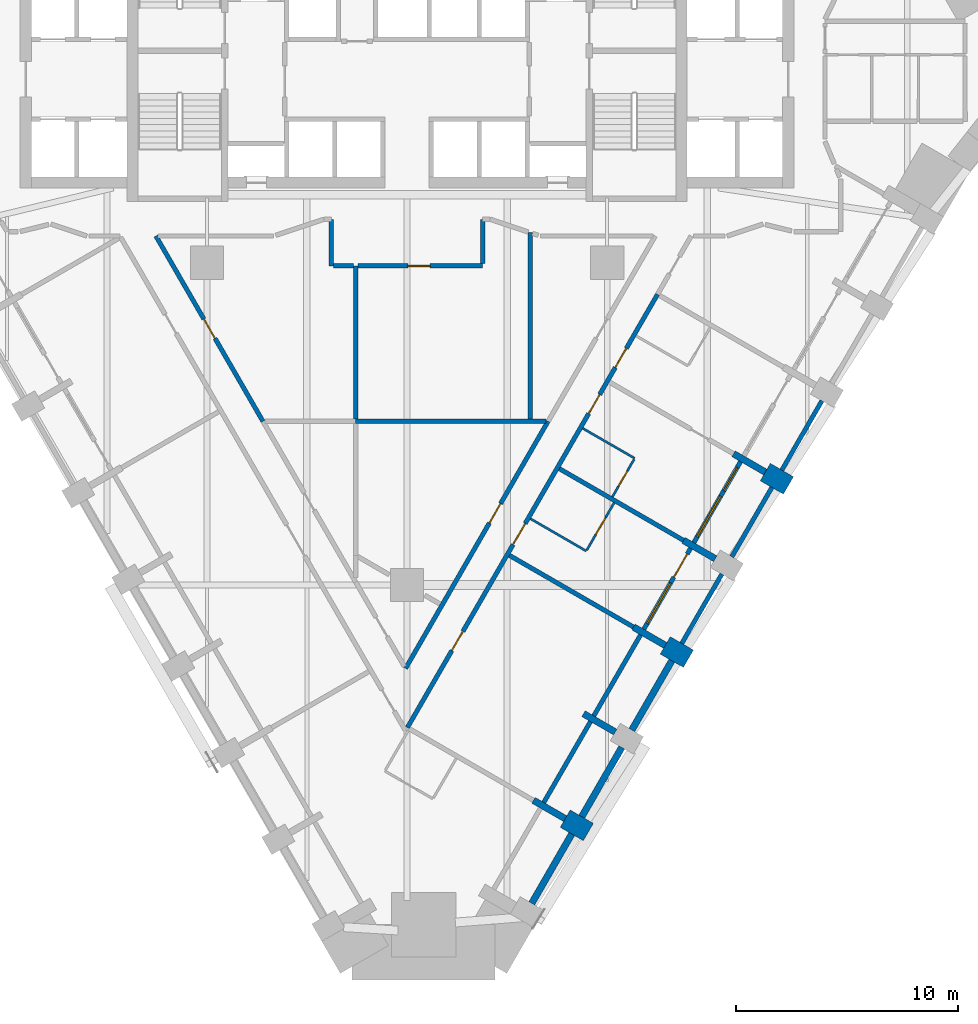
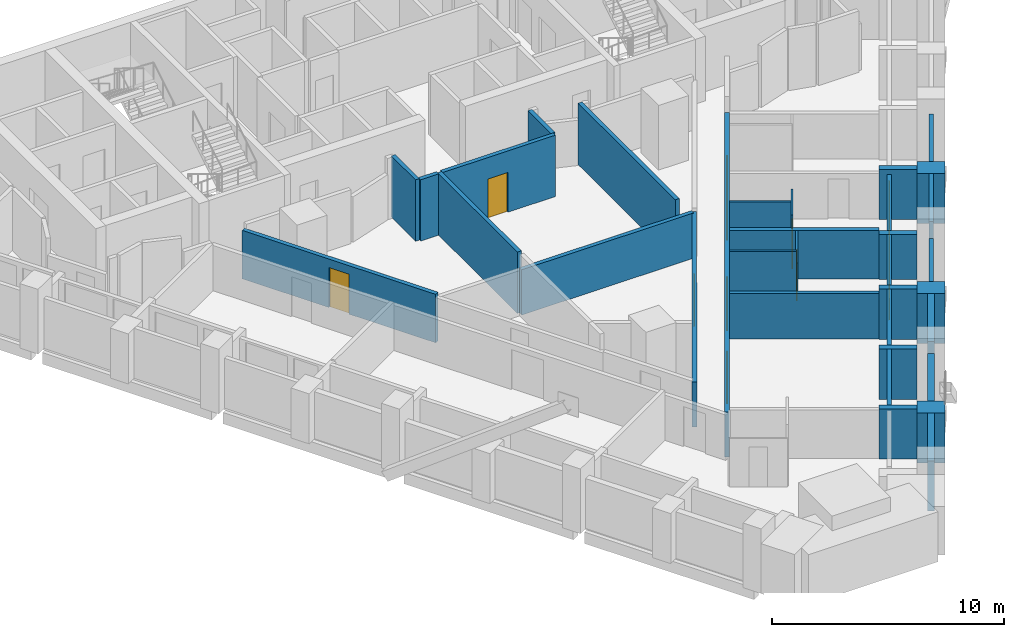
# One storey, part 4 of 11: 34 walls, 11 doors, 2 windows, 13 openings.
"""IFC4 building model written with IfcOpenShell, lengths in metres."""

from ifc_helpers import new_model, si_unit, direction, frame, frame_2d, origin, place, context, subcontext, project, spatial, rectangle, extrude, material, layer, layer_set, type_object, element, fill, save


model = new_model("IFC4")

# Units and contexts
model_context = context("Model", 3, precision=1e-05, world=origin(), true_north=direction((0.0, 1.0)))
body_context = subcontext(model_context, "Body", "Model", "MODEL_VIEW")
ifc_project = project(units=[si_unit("LENGTHUNIT", "METRE"), si_unit("AREAUNIT", "SQUARE_METRE"), si_unit("VOLUMEUNIT", "CUBIC_METRE"), si_unit("PLANEANGLEUNIT", "RADIAN"), si_unit("MASSUNIT", "GRAM", prefix="KILO")], contexts=[model_context])

# Site, building, storey
site_placement = place(None, origin())
site = spatial("IfcSite", under=ifc_project, at=site_placement, CompositionType="ELEMENT")
building_placement = place(site_placement, origin())
building = spatial("IfcBuilding", under=site, at=building_placement, Name="Calabash Gate Tower", CompositionType="ELEMENT")
storey_placement = place(building_placement, frame((0.0, 0.0, 112.199951171875)))
storey = spatial("IfcBuildingStorey", under=building, at=storey_placement, Name="L25", CompositionType="ELEMENT", Elevation=112.199951171875)

# Walls
ifc_material_1 = material(Name="Terracotta brick masonry, exposed face", Category="masonry")
ifc_layer_1 = layer(ifc_material_1, 1.199951171875)
ifc_layer_set_1 = layer_set([ifc_layer_1], Name="Brick end wall 1200")
wall_type_1 = type_object("IfcWallType", Name="Brick end wall 1200", PredefinedType="SOLIDWALL", material=ifc_layer_set_1)
for number, where, z_axis, x_axis, name in (
    (1, (8.156494140625, -23.11083984375, 0.0), (0.0, 0.0, 1.0), (-0.866006032174, 0.500033551112, 0.0), "Brick pier S07 SE2.1"),
    (2, (12.656494140625, -15.316650390625, 0.0), (0.0, 0.0, 1.0), (-0.866006032174, 0.500033551112, 0.0), "Brick pier S07 SE2.3"),
    (3, (17.156494140625, -7.5224609375, 0.0), (0.0, 0.0, 1.0), (-0.866006032174, 0.500033551112, 0.0), "Brick pier S07 SE2.5"),
):
    element("IfcWall", number, at=place(storey_placement, frame(where, z_axis=z_axis, x_axis=x_axis)), inside=storey, type_object=wall_type_1, Name=name, PredefinedType="SOLIDWALL", context=body_context, shape_type="SweptSolid", body=[
        extrude(rectangle(XDim=1.2001953125, YDim=0.89990234375, at=frame_2d((0.60009765625, 0.0))), origin(), (0.0, 0.0, 1.0), 2.630126953125),
    ])
ifc_material_2 = material(Name="Terracotta brick masonry, exposed face", Category="masonry")
ifc_layer_2 = layer(ifc_material_2, 0.300048828125)
ifc_layer_set_2 = layer_set([ifc_layer_2], Name="Brick infill panel wall 300")
wall_type_2 = type_object("IfcWallType", Name="Brick infill panel wall 300", PredefinedType="SOLIDWALL", material=ifc_layer_set_2)
for number, where, z_axis, x_axis, name in (
    (4, (5.61181640625, -26.318115234375, 0.0), (0.0, 0.0, 1.0), (0.500012057535, 0.866018442252, 0.0), "Brick panel S07 SE2.1"),
    (5, (7.86181640625, -22.421142578125, 0.0), (0.0, 0.0, 1.0), (0.500012057535, 0.866018442252, 0.0), "Brick panel S07 SE2.2"),
    (6, (10.11181640625, -18.52392578125, 0.0), (0.0, 0.0, 1.0), (0.500012057535, 0.866018442252, 0.0), "Brick panel S07 SE2.3"),
):
    element("IfcWall", number, at=place(storey_placement, frame(where, z_axis=z_axis, x_axis=x_axis)), inside=storey, type_object=wall_type_2, Name=name, PredefinedType="SOLIDWALL", context=body_context, shape_type="SweptSolid", body=[
        extrude(rectangle(XDim=3.60009765625, YDim=0.300048828125, at=frame_2d((1.800048828125, 0.0))), origin(), (0.0, 0.0, 1.0), 2.630126953125),
    ])
ifc_material_3 = material(Name="Terracotta brick masonry, exposed face", Category="masonry")
ifc_layer_3 = layer(ifc_material_3, 0.300048828125)
ifc_layer_set_3 = layer_set([ifc_layer_3], Name="Brick loggia cheek wall 300")
wall_type_3 = type_object("IfcWallType", Name="Brick loggia cheek wall 300", PredefinedType="SOLIDWALL", material=ifc_layer_set_3)
for number, where, z_axis, x_axis, name in (
    (7, (7.1171875, -22.5107421875, 0.0), (0.0, 0.0, 1.0), (-0.866040211805, 0.499974350878, 0.0), "Loggia cheek S07 SE2.1"),
    (8, (7.938232421875, -17.788818359375, 0.0), (0.0, 0.0, 1.0), (0.866040211805, -0.499974350878, 0.0), "Loggia cheek S07 SE2.2"),
    (9, (11.6171875, -14.716552734375, 0.0), (0.0, 0.0, 1.0), (-0.866040211805, 0.499974350878, 0.0), "Loggia cheek S07 SE2.3"),
):
    element("IfcWall", number, at=place(storey_placement, frame(where, z_axis=z_axis, x_axis=x_axis)), inside=storey, type_object=wall_type_3, Name=name, PredefinedType="SOLIDWALL", context=body_context, shape_type="SweptSolid", body=[
        extrude(rectangle(XDim=1.64990234375, YDim=0.300048828125, at=frame_2d((0.824951171875, 0.0))), origin(), (0.0, 0.0, 1.0), 2.650146484375),
    ])
wall_1_placement = place(storey_placement, frame((12.438232421875, -9.994384765625, 0.0), z_axis=(0.0, 0.0, 1.0), x_axis=(0.866040211805, -0.499974350878, 0.0)))
element("IfcWall", 10, at=wall_1_placement, inside=storey, type_object=wall_type_3, Name="Loggia cheek S07 SE2.4", PredefinedType="SOLIDWALL", context=body_context, shape_type="SweptSolid", body=[
    extrude(rectangle(XDim=1.64990234375, YDim=0.300048828125, at=frame_2d((0.824951171875, 0.0))), origin(), (0.0, 0.0, 1.0), 2.384033203125),
])
wall_2_placement = place(storey_placement, frame((14.688232421875, -6.097412109375, 0.0), z_axis=(0.0, 0.0, 1.0), x_axis=(0.866040211805, -0.499974350878, 0.0)))
element("IfcWall", 11, at=wall_2_placement, inside=storey, type_object=wall_type_3, Name="Loggia cheek S07 SE2.5", PredefinedType="SOLIDWALL", context=body_context, shape_type="SweptSolid", body=[
    extrude(rectangle(XDim=1.64990234375, YDim=0.300048828125, at=frame_2d((0.824951171875, 0.0))), origin(), (0.0, 0.0, 1.0), 2.650146484375),
])

# Wall, opening, door
ifc_material_4 = material(Name="Gypsum board on steel studs, mineral wool", Category="steel")
ifc_layer_4 = layer(ifc_material_4, 0.10009765625)
ifc_layer_set_4 = layer_set([ifc_layer_4], Name="Partition 100 gypsum board")
wall_type_4 = type_object("IfcWallType", Name="Partition 100 gypsum board", PredefinedType="PARTITIONING", material=ifc_layer_set_4)
wall_3_placement = place(storey_placement, frame((8.0888671875, -10.427978515625, 0.0), z_axis=(0.0, 0.0, 1.0), x_axis=(0.500018594424, 0.866014668023, 0.0)))
wall_3 = element("IfcWall", 12, at=wall_3_placement, inside=storey, type_object=wall_type_4, Name="Partition", PredefinedType="PARTITIONING", context=body_context, shape_type="SweptSolid", body=[
    extrude(rectangle(XDim=2.4501953125, YDim=0.10009765625, at=frame_2d((1.22509765625, 0.0))), origin(), (0.0, 0.0, 1.0), 2.552001953125),
])
opening_1_placement = place(wall_3_placement, frame((0.800048828125, 0.0, 0.0)))
opening_1 = element("IfcOpeningElement", 13, at=opening_1_placement, cuts=wall_3, Name="Opening 25-27-005", PredefinedType="OPENING", context=body_context, shape_type="SweptSolid", body=[
    extrude(rectangle(XDim=0.89990234375, YDim=2.10009765625, at=frame_2d((0.449951171875, 1.050048828125))), frame((0.0, 0.06005859375, 0.0), z_axis=(0.0, -1.0, 0.0), x_axis=(1.0, 0.0, 0.0)), (0.0, 0.0, 1.0), 0.1201171875),
])
ifc_material_5 = material(Name="Painted timber door", Category="wood")
door_type_1 = type_object("IfcDoorType", Name="GD6 Accessible en-suite door 900x2100", OperationType="NOTDEFINED", PredefinedType="DOOR", material=ifc_material_5)
door_1_placement = place(opening_1_placement, origin())
door_1 = element("IfcDoor", 14, at=door_1_placement, inside=storey, type_object=door_type_1, Name="Accessible en-suite door", OperationType="SINGLE_SWING_LEFT", OverallHeight=2.10009765625, OverallWidth=0.89990234375, PredefinedType="DOOR", context=body_context, shape_type="SweptSolid", body=[
    extrude(rectangle(XDim=0.89990234375, YDim=2.10009765625, at=frame_2d((0.449951171875, 1.050048828125))), frame((0.0, 0.02490234375, 0.0), z_axis=(0.0, -1.0, 0.0), x_axis=(1.0, 0.0, 0.0)), (0.0, 0.0, 1.0), 0.050048828125),
])
fill(opening_1, door_1)

# Wall
wall_4_placement = place(storey_placement, frame((5.553466796875, -9.019775390625, 0.0), z_axis=(0.0, 0.0, 1.0), x_axis=(0.865729701078, -0.500511822708, 0.0)))
element("IfcWall", 15, at=wall_4_placement, inside=storey, type_object=wall_type_4, Name="Partition", PredefinedType="PARTITIONING", context=body_context, shape_type="SweptSolid", body=[
    extrude(rectangle(XDim=2.89990234375, YDim=0.10009765625, at=frame_2d((1.449951171875, 0.0))), origin(), (0.0, 0.0, 1.0), 3.22998046875),
])

# Wall, opening, door
wall_5_placement = place(storey_placement, frame((9.239501953125, -8.031982421875, 0.0), z_axis=(0.0, 0.0, 1.0), x_axis=(0.500675951608, 0.865634791053, 0.0)))
wall_5 = element("IfcWall", 16, at=wall_5_placement, inside=storey, type_object=wall_type_4, Name="Partition", PredefinedType="PARTITIONING", context=body_context, shape_type="SweptSolid", body=[
    extrude(rectangle(XDim=1.949951171875, YDim=0.10009765625, at=frame_2d((0.97509765625, 0.0))), origin(), (0.0, 0.0, 1.0), 3.22998046875),
])
opening_2_placement = place(wall_5_placement, frame((0.5498046875, 0.0, 0.0)))
opening_2 = element("IfcOpeningElement", 17, at=opening_2_placement, cuts=wall_5, Name="Opening 25-27-007", PredefinedType="OPENING", context=body_context, shape_type="SweptSolid", body=[
    extrude(rectangle(XDim=0.800048828125, YDim=2.10009765625, at=frame_2d((0.39990234375, 1.050048828125))), frame((0.0, 0.06005859375, 0.0), z_axis=(0.0, -1.0, 0.0), x_axis=(1.0, 0.0, 0.0)), (0.0, 0.0, 1.0), 0.1201171875),
])
ifc_material_6 = material(Name="Painted timber door", Category="wood")
door_type_2 = type_object("IfcDoorType", Name="GD5 En-suite door 800x2100", OperationType="NOTDEFINED", PredefinedType="DOOR", material=ifc_material_6)
door_2_placement = place(opening_2_placement, origin())
door_2 = element("IfcDoor", 18, at=door_2_placement, inside=storey, type_object=door_type_2, Name="En-suite door", OperationType="SINGLE_SWING_LEFT", OverallHeight=2.10009765625, OverallWidth=0.800048828125, PredefinedType="DOOR", context=body_context, shape_type="SweptSolid", body=[
    extrude(rectangle(XDim=0.800048828125, YDim=2.10009765625, at=frame_2d((0.39990234375, 1.050048828125))), frame((0.0, 0.02490234375, 0.0), z_axis=(0.0, -1.0, 0.0), x_axis=(1.0, 0.0, 0.0)), (0.0, 0.0, 1.0), 0.050048828125),
])
fill(opening_2, door_2)

# Wall
wall_6_placement = place(storey_placement, frame((7.90185546875, -4.952392578125, 0.0), z_axis=(0.0, 0.0, 1.0), x_axis=(0.866339109022, -0.499456252518, 0.0)))
element("IfcWall", 19, at=wall_6_placement, inside=storey, type_object=wall_type_4, Name="Partition", PredefinedType="PARTITIONING", context=body_context, shape_type="SweptSolid", body=[
    extrude(rectangle(XDim=2.69970703125, YDim=0.10009765625, at=frame_2d((1.349853515625, 0.0))), origin(), (0.0, 0.0, 1.0), 2.552001953125),
])

# Wall, opening, door
ifc_material_7 = material(Name="Gypsum board on steel studs, mineral wool", Category="steel")
ifc_layer_5 = layer(ifc_material_7, 0.199951171875)
ifc_layer_set_5 = layer_set([ifc_layer_5], Name="Partition 200 gypsum board EI 60")
wall_type_5 = type_object("IfcWallType", Name="Partition 200 gypsum board EI 60", PredefinedType="PARTITIONING", material=ifc_layer_set_5)
wall_7_placement = place(storey_placement, frame((-0.0654296875, -15.751220703125, 0.0), z_axis=(0.0, 0.0, 1.0), x_axis=(0.499524753178, 0.866299613854, 0.0)))
wall_7 = element("IfcWall", 20, at=wall_7_placement, inside=storey, type_object=wall_type_5, Name="Partition", PredefinedType="PARTITIONING", context=body_context, shape_type="SweptSolid", body=[
    extrude(rectangle(XDim=12.82958984375, YDim=0.199951171875, at=frame_2d((6.414794921875, 0.0))), origin(), (0.0, 0.0, 1.0), 2.3740234375),
])
opening_3_placement = place(wall_7_placement, frame((7.55615234375, 0.0, 0.0)))
opening_3 = element("IfcOpeningElement", 21, at=opening_3_placement, cuts=wall_7, Name="Opening 25-27-016", PredefinedType="OPENING", context=body_context, shape_type="SweptSolid", body=[
    extrude(rectangle(XDim=1.0, YDim=2.10009765625, at=frame_2d((0.5, 1.050048828125))), frame((0.0, 0.10986328125, 0.0), z_axis=(0.0, -1.0, 0.0), x_axis=(1.0, 0.0, 0.0)), (0.0, 0.0, 1.0), 0.219970703125),
])
ifc_material_8 = material(Name="Steel fire door set with fire-resisting glazing", Category="steel")
door_type_3 = type_object("IfcDoorType", Name="LD2 Meeting room door 1000x2100", OperationType="NOTDEFINED", PredefinedType="DOOR", material=ifc_material_8)
door_3_placement = place(opening_3_placement, origin())
door_3 = element("IfcDoor", 22, at=door_3_placement, inside=storey, type_object=door_type_3, Name="Meeting room door", OperationType="SINGLE_SWING_RIGHT", OverallHeight=2.10009765625, OverallWidth=1.0, PredefinedType="DOOR", context=body_context, shape_type="SweptSolid", body=[
    extrude(rectangle(XDim=1.0, YDim=2.10009765625, at=frame_2d((0.5, 1.050048828125))), frame((0.0, 0.02490234375, 0.0), z_axis=(0.0, -1.0, 0.0), x_axis=(1.0, 0.0, 0.0)), (0.0, 0.0, 1.0), 0.050048828125),
])
fill(opening_3, door_3)

# Walls
wall_8_placement = place(storey_placement, frame((4.603515625, -10.6650390625, 0.0), z_axis=(0.0, 0.0, 1.0), x_axis=(0.865901871826, -0.500213902613, 0.0)))
element("IfcWall", 23, at=wall_8_placement, inside=storey, type_object=wall_type_5, Name="Partition", PredefinedType="PARTITIONING", context=body_context, shape_type="SweptSolid", body=[
    extrude(rectangle(XDim=6.449951171875, YDim=0.199951171875, at=frame_2d((3.22509765625, 0.0))), origin(), (0.0, 0.0, 1.0), 2.3740234375),
])
wall_9_placement = place(storey_placement, frame((6.853515625, -6.767822265625, 0.0), z_axis=(0.0, 0.0, 1.0), x_axis=(0.866012238917, -0.500022801525, 0.0)))
element("IfcWall", 24, at=wall_9_placement, inside=storey, type_object=wall_type_5, Name="Partition", PredefinedType="PARTITIONING", context=body_context, shape_type="SweptSolid", body=[
    extrude(rectangle(XDim=6.449951171875, YDim=0.199951171875, at=frame_2d((3.22509765625, 0.0))), origin(), (0.0, 0.0, 1.0), 2.552001953125),
])
wall_10_placement = place(storey_placement, frame((-2.311279296875, -4.641357421875, 0.0), z_axis=(0.0, 0.0, 1.0), x_axis=(1.0, 0.0, 0.0)))
element("IfcWall", 25, at=wall_10_placement, inside=storey, type_object=wall_type_5, Name="Partition", PredefinedType="PARTITIONING", context=body_context, shape_type="SweptSolid", body=[
    extrude(rectangle(XDim=8.56005859375, YDim=0.199951171875, at=frame_2d((4.280029296875, 0.0))), origin(), (0.0, 0.0, 1.0), 2.384033203125),
])

# Wall, openings, doors
wall_11_placement = place(storey_placement, frame((0.017578125, -18.411865234375, 0.0), z_axis=(0.0, 0.0, 1.0), x_axis=(0.49999953585, 0.866025671762, 0.0)))
wall_11 = element("IfcWall", 26, at=wall_11_placement, inside=storey, type_object=wall_type_5, Name="Partition", PredefinedType="PARTITIONING", context=body_context, shape_type="SweptSolid", body=[
    extrude(rectangle(XDim=22.5, YDim=0.199951171875, at=frame_2d((11.25, 0.0))), origin(), (0.0, 0.0, 1.0), 2.3740234375),
])
opening_4_placement = place(wall_11_placement, frame((4.0, 0.0, 0.0)))
opening_4 = element("IfcOpeningElement", 27, at=opening_4_placement, cuts=wall_11, Name="Opening 25-27-003", PredefinedType="OPENING", context=body_context, shape_type="SweptSolid", body=[
    extrude(rectangle(XDim=1.0, YDim=2.10009765625, at=frame_2d((0.5, 1.050048828125))), frame((0.0, 0.10986328125, 0.0), z_axis=(0.0, -1.0, 0.0), x_axis=(1.0, 0.0, 0.0)), (0.0, 0.0, 1.0), 0.219970703125),
])
opening_5_placement = place(wall_11_placement, frame((9.5, 0.0, 0.0)))
opening_5 = element("IfcOpeningElement", 28, at=opening_5_placement, cuts=wall_11, Name="Opening 25-27-004", PredefinedType="OPENING", context=body_context, shape_type="SweptSolid", body=[
    extrude(rectangle(XDim=1.10009765625, YDim=2.10009765625, at=frame_2d((0.550048828125, 1.050048828125))), frame((0.0, 0.10986328125, 0.0), z_axis=(0.0, -1.0, 0.0), x_axis=(1.0, 0.0, 0.0)), (0.0, 0.0, 1.0), 0.219970703125),
])
opening_6_placement = place(wall_11_placement, frame((16.2998046875, 0.0, 0.0)))
opening_6 = element("IfcOpeningElement", 29, at=opening_6_placement, cuts=wall_11, Name="Opening 25-27-006", PredefinedType="OPENING", context=body_context, shape_type="SweptSolid", body=[
    extrude(rectangle(XDim=1.0, YDim=2.10009765625, at=frame_2d((0.5, 1.050048828125))), frame((0.0, 0.10986328125, 0.0), z_axis=(0.0, -1.0, 0.0), x_axis=(1.0, 0.0, 0.0)), (0.0, 0.0, 1.0), 0.219970703125),
])
opening_7_placement = place(wall_11_placement, frame((18.699951171875, 0.0, 0.0)))
opening_7 = element("IfcOpeningElement", 30, at=opening_7_placement, cuts=wall_11, Name="Opening 25-27-008", PredefinedType="OPENING", context=body_context, shape_type="SweptSolid", body=[
    extrude(rectangle(XDim=1.0, YDim=2.10009765625, at=frame_2d((0.5, 1.050048828125))), frame((0.0, 0.10986328125, 0.0), z_axis=(0.0, -1.0, 0.0), x_axis=(1.0, 0.0, 0.0)), (0.0, 0.0, 1.0), 0.219970703125),
])
ifc_material_9 = material(Name="Steel fire door set with fire-resisting glazing", Category="steel")
door_type_4 = type_object("IfcDoorType", Name="GD1 Guest room entrance door 1000x2100", OperationType="NOTDEFINED", PredefinedType="DOOR", material=ifc_material_9)
door_4_placement = place(opening_6_placement, origin())
door_4 = element("IfcDoor", 31, at=door_4_placement, inside=storey, type_object=door_type_4, Name="Guest room entrance door", OperationType="SINGLE_SWING_LEFT", OverallHeight=2.10009765625, OverallWidth=1.0, PredefinedType="DOOR", context=body_context, shape_type="SweptSolid", body=[
    extrude(rectangle(XDim=1.0, YDim=2.10009765625, at=frame_2d((0.5, 1.050048828125))), frame((0.0, 0.02490234375, 0.0), z_axis=(0.0, -1.0, 0.0), x_axis=(1.0, 0.0, 0.0)), (0.0, 0.0, 1.0), 0.050048828125),
])
fill(opening_6, door_4)
door_5_placement = place(opening_7_placement, origin())
door_5 = element("IfcDoor", 32, at=door_5_placement, inside=storey, type_object=door_type_4, Name="Guest room entrance door", OperationType="SINGLE_SWING_RIGHT", OverallHeight=2.10009765625, OverallWidth=1.0, PredefinedType="DOOR", context=body_context, shape_type="SweptSolid", body=[
    extrude(rectangle(XDim=1.0, YDim=2.10009765625, at=frame_2d((0.5, 1.050048828125))), frame((0.0, 0.02490234375, 0.0), z_axis=(0.0, -1.0, 0.0), x_axis=(1.0, 0.0, 0.0)), (0.0, 0.0, 1.0), 0.050048828125),
])
fill(opening_7, door_5)
ifc_material_10 = material(Name="Steel fire door set with fire-resisting glazing", Category="steel")
door_type_5 = type_object("IfcDoorType", Name="GD2 Accessible guest room entrance door 1100x2100", OperationType="NOTDEFINED", PredefinedType="DOOR", material=ifc_material_10)
door_6_placement = place(opening_5_placement, origin())
door_6 = element("IfcDoor", 33, at=door_6_placement, inside=storey, type_object=door_type_5, Name="Accessible guest room entrance door", OperationType="SINGLE_SWING_RIGHT", OverallHeight=2.10009765625, OverallWidth=1.10009765625, PredefinedType="DOOR", context=body_context, shape_type="SweptSolid", body=[
    extrude(rectangle(XDim=1.10009765625, YDim=2.10009765625, at=frame_2d((0.550048828125, 1.050048828125))), frame((0.0, 0.02490234375, 0.0), z_axis=(0.0, -1.0, 0.0), x_axis=(1.0, 0.0, 0.0)), (0.0, 0.0, 1.0), 0.050048828125),
])
fill(opening_5, door_6)
door_7_placement = place(opening_4_placement, origin())
door_7 = element("IfcDoor", 34, at=door_7_placement, inside=storey, type_object=door_type_3, Name="Meeting room door", OperationType="SINGLE_SWING_RIGHT", OverallHeight=2.10009765625, OverallWidth=1.0, PredefinedType="DOOR", context=body_context, shape_type="SweptSolid", body=[
    extrude(rectangle(XDim=1.0, YDim=2.10009765625, at=frame_2d((0.5, 1.050048828125))), frame((0.0, 0.02490234375, 0.0), z_axis=(0.0, -1.0, 0.0), x_axis=(1.0, 0.0, 0.0)), (0.0, 0.0, 1.0), 0.050048828125),
])
fill(opening_4, door_7)

# Walls
wall_12_placement = place(storey_placement, frame((-3.402099609375, 4.45068359375, 0.0), z_axis=(0.0, 0.0, 1.0), x_axis=(0.000930881607, -0.99999956673, 0.0)))
element("IfcWall", 35, at=wall_12_placement, inside=storey, type_object=wall_type_5, Name="Partition", PredefinedType="PARTITIONING", context=body_context, shape_type="SweptSolid", body=[
    extrude(rectangle(XDim=2.09814453125, YDim=0.199951171875, at=frame_2d((1.049072265625, 0.0))), origin(), (0.0, 0.0, 1.0), 3.22998046875),
])
wall_13_placement = place(storey_placement, frame((-3.30029296875, 2.352294921875, 0.0), z_axis=(0.0, 0.0, 1.0), x_axis=(0.999998150893, -0.001923073367, 0.0)))
element("IfcWall", 36, at=wall_13_placement, inside=storey, type_object=wall_type_5, Name="Partition", PredefinedType="PARTITIONING", context=body_context, shape_type="SweptSolid", body=[
    extrude(rectangle(XDim=0.888671875, YDim=0.199951171875, at=frame_2d((0.4443359375, 0.0))), origin(), (0.0, 0.0, 1.0), 3.22998046875),
])
wall_14_placement = place(storey_placement, frame((-2.3095703125, -4.539306640625, 0.0), z_axis=(0.0, 0.0, 1.0), x_axis=(0.0, 1.0, 0.0)))
element("IfcWall", 37, at=wall_14_placement, inside=storey, type_object=wall_type_5, Name="Partition", PredefinedType="PARTITIONING", context=body_context, shape_type="SweptSolid", body=[
    extrude(rectangle(XDim=6.8916015625, YDim=0.199951171875, at=frame_2d((3.44580078125, 0.0))), origin(), (0.0, 0.0, 1.0), 3.22998046875),
])

# Wall, opening, door
wall_15_placement = place(storey_placement, frame((-2.211181640625, 2.3505859375, 0.0), z_axis=(0.0, 0.0, 1.0), x_axis=(0.999999953622, 0.00030455968, 0.0)))
wall_15 = element("IfcWall", 38, at=wall_15_placement, inside=storey, type_object=wall_type_5, Name="Partition", PredefinedType="PARTITIONING", context=body_context, shape_type="SweptSolid", body=[
    extrude(rectangle(XDim=5.611328125, YDim=0.199951171875, at=frame_2d((2.8056640625, 0.0))), origin(), (0.0, 0.0, 1.0), 3.22998046875),
])
opening_8_placement = place(wall_15_placement, frame((2.254638671875, 0.0, 0.0)))
opening_8 = element("IfcOpeningElement", 39, at=opening_8_placement, cuts=wall_15, Name="Opening 25-27-012", PredefinedType="OPENING", context=body_context, shape_type="SweptSolid", body=[
    extrude(rectangle(XDim=1.0, YDim=2.10009765625, at=frame_2d((0.5, 1.050048828125))), frame((0.0, 0.10986328125, 0.0), z_axis=(0.0, -1.0, 0.0), x_axis=(1.0, 0.0, 0.0)), (0.0, 0.0, 1.0), 0.219970703125),
])
door_8_placement = place(opening_8_placement, origin())
door_8 = element("IfcDoor", 40, at=door_8_placement, inside=storey, type_object=door_type_3, Name="Meeting room door", OperationType="SINGLE_SWING_LEFT", OverallHeight=2.10009765625, OverallWidth=1.0, PredefinedType="DOOR", context=body_context, shape_type="SweptSolid", body=[
    extrude(rectangle(XDim=1.0, YDim=2.10009765625, at=frame_2d((0.5, 1.050048828125))), frame((0.0, 0.02490234375, 0.0), z_axis=(0.0, -1.0, 0.0), x_axis=(1.0, 0.0, 0.0)), (0.0, 0.0, 1.0), 0.050048828125),
])
fill(opening_8, door_8)

wall_16_placement = place(storey_placement, frame((-11.29541015625, 3.69970703125, 0.0), z_axis=(0.0, 0.0, 1.0), x_axis=(0.500160597015, -0.865932663198, 0.0)))
wall_16 = element("IfcWall", 41, at=wall_16_placement, inside=storey, type_object=wall_type_5, Name="Partition", PredefinedType="PARTITIONING", context=body_context, shape_type="SweptSolid", body=[
    extrude(rectangle(XDim=9.630126953125, YDim=0.199951171875, at=frame_2d((4.81494140625, 0.0))), origin(), (0.0, 0.0, 1.0), 2.552001953125),
])
opening_9_placement = place(wall_16_placement, frame((4.3154296875, 0.0, 0.0)))
opening_9 = element("IfcOpeningElement", 42, at=opening_9_placement, cuts=wall_16, Name="Opening 25-27-011", PredefinedType="OPENING", context=body_context, shape_type="SweptSolid", body=[
    extrude(rectangle(XDim=1.0, YDim=2.10009765625, at=frame_2d((0.5, 1.050048828125))), frame((0.0, 0.10986328125, 0.0), z_axis=(0.0, -1.0, 0.0), x_axis=(1.0, 0.0, 0.0)), (0.0, 0.0, 1.0), 0.219970703125),
])
door_9_placement = place(opening_9_placement, origin())
door_9 = element("IfcDoor", 43, at=door_9_placement, inside=storey, type_object=door_type_3, Name="Meeting room door", OperationType="SINGLE_SWING_RIGHT", OverallHeight=2.10009765625, OverallWidth=1.0, PredefinedType="DOOR", context=body_context, shape_type="SweptSolid", body=[
    extrude(rectangle(XDim=1.0, YDim=2.10009765625, at=frame_2d((0.5, 1.050048828125))), frame((0.0, 0.02490234375, 0.0), z_axis=(0.0, -1.0, 0.0), x_axis=(1.0, 0.0, 0.0)), (0.0, 0.0, 1.0), 0.050048828125),
])
fill(opening_9, door_9)

# Walls
wall_17_placement = place(storey_placement, frame((5.550048828125, -4.539306640625, 0.0), z_axis=(0.0, 0.0, 1.0), x_axis=(0.000203731187, 0.999999979247, 0.0)))
element("IfcWall", 44, at=wall_17_placement, inside=storey, type_object=wall_type_5, Name="Partition", PredefinedType="PARTITIONING", context=body_context, shape_type="SweptSolid", body=[
    extrude(rectangle(XDim=8.388427734375, YDim=0.199951171875, at=frame_2d((4.1943359375, 0.0))), origin(), (0.0, 0.0, 1.0), 3.22998046875),
])
wall_18_placement = place(storey_placement, frame((3.400146484375, 2.452392578125, 0.0), z_axis=(0.0, 0.0, 1.0), x_axis=(0.000977397212, 0.999999522347, 0.0)))
element("IfcWall", 45, at=wall_18_placement, inside=storey, type_object=wall_type_5, Name="Partition", PredefinedType="PARTITIONING", context=body_context, shape_type="SweptSolid", body=[
    extrude(rectangle(XDim=1.998291015625, YDim=0.199951171875, at=frame_2d((0.9990234375, 0.0))), origin(), (0.0, 0.0, 1.0), 3.22998046875),
])
ifc_material_11 = material(Name="Terracotta brick masonry, perforated", Category="masonry")
ifc_layer_6 = layer(ifc_material_11, 0.199951171875)
ifc_layer_set_6 = layer_set([ifc_layer_6], Name="Terracotta jaali screen A")
wall_type_6 = type_object("IfcWallType", Name="Terracotta jaali screen A", PredefinedType="SOLIDWALL", material=ifc_layer_set_6)
wall_19_placement = place(storey_placement, frame((12.36181640625, -14.626953125, 0.0), z_axis=(0.0, 0.0, 1.0), x_axis=(0.500012057535, 0.866018442252, 0.0)))
element("IfcWall", 46, at=wall_19_placement, inside=storey, type_object=wall_type_6, Name="SCREEN A S07 SE2.4", PredefinedType="SOLIDWALL", context=body_context, shape_type="SweptSolid", body=[
    extrude(rectangle(XDim=3.60009765625, YDim=0.199951171875, at=frame_2d((1.800048828125, 0.0))), origin(), (0.0, 0.0, 1.0), 2.3740234375),
])
for number, where, z_axis, x_axis, name in (
    (47, (14.61181640625, -10.729736328125, 0.0), (0.0, 0.0, 1.0), (0.500012057535, 0.866018442252, 0.0), "SCREEN A S07 SE2.5"),
    (48, (16.86181640625, -6.832763671875, 0.0), (0.0, 0.0, 1.0), (0.500012057535, 0.866018442252, 0.0), "SCREEN A S07 SE2.6"),
):
    element("IfcWall", number, at=place(storey_placement, frame(where, z_axis=z_axis, x_axis=x_axis)), inside=storey, type_object=wall_type_6, Name=name, PredefinedType="SOLIDWALL", context=body_context, shape_type="SweptSolid", body=[
        extrude(rectangle(XDim=3.60009765625, YDim=0.199951171875, at=frame_2d((1.800048828125, 0.0))), origin(), (0.0, 0.0, 1.0), 2.630126953125),
    ])
ifc_material_12 = material(Name="Aluminium framed window wall with insulated spandrel", Category="aluminium")
ifc_layer_7 = layer(ifc_material_12, 0.199951171875)
ifc_layer_set_7 = layer_set([ifc_layer_7], Name="Window wall 200")
wall_type_7 = type_object("IfcWallType", Name="Window wall 200", PredefinedType="ELEMENTEDWALL", material=ifc_layer_set_7)
for number, where, z_axis, x_axis, name in (
    (49, (6.153076171875, -21.781005859375, 0.0), (0.0, 0.0, 1.0), (0.499958946799, 0.866049104564, 0.0), "Window wall S07 SE2.2"),
    (50, (8.403076171875, -17.8837890625, 0.0), (0.0, 0.0, 1.0), (0.49998411664, 0.866034573852, 0.0), "Window wall S07 SE2.3"),
):
    element("IfcWall", number, at=place(storey_placement, frame(where, z_axis=z_axis, x_axis=x_axis)), inside=storey, type_object=wall_type_7, Name=name, PredefinedType="ELEMENTEDWALL", context=body_context, shape_type="SweptSolid", body=[
        extrude(rectangle(XDim=4.199951171875, YDim=0.199951171875, at=frame_2d((2.10009765625, 0.0))), origin(), (0.0, 0.0, 1.0), 2.650146484375),
    ])

# Wall, openings, door, window
wall_20_placement = place(storey_placement, frame((10.653076171875, -13.98681640625, 0.0), z_axis=(0.0, 0.0, 1.0), x_axis=(0.499958946799, 0.866049104564, 0.0)))
wall_20 = element("IfcWall", 51, at=wall_20_placement, inside=storey, type_object=wall_type_7, Name="Window wall S07 SE2.4", PredefinedType="ELEMENTEDWALL", context=body_context, shape_type="SweptSolid", body=[
    extrude(rectangle(XDim=4.199951171875, YDim=0.199951171875, at=frame_2d((2.10009765625, 0.0))), origin(), (0.0, 0.0, 1.0), 2.3740234375),
])
opening_10_placement = place(wall_20_placement, frame((0.300048828125, 0.0, 0.60009765625)))
opening_10 = element("IfcOpeningElement", 52, at=opening_10_placement, cuts=wall_20, Name="Opening HW1L-1670", PredefinedType="OPENING", context=body_context, shape_type="SweptSolid", body=[
    extrude(rectangle(XDim=2.10009765625, YDim=1.669921875, at=frame_2d((1.050048828125, 0.8349609375))), frame((0.0, 0.10986328125, 0.0), z_axis=(0.0, -1.0, 0.0), x_axis=(1.0, 0.0, 0.0)), (0.0, 0.0, 1.0), 0.219970703125),
])
opening_11_placement = place(wall_20_placement, frame((2.699951171875, 0.0, 0.0)))
opening_11 = element("IfcOpeningElement", 53, at=opening_11_placement, cuts=wall_20, Name="Opening H7-019", PredefinedType="OPENING", context=body_context, shape_type="SweptSolid", body=[
    extrude(rectangle(XDim=1.199951171875, YDim=2.27001953125, at=frame_2d((0.60009765625, 1.135009765625))), frame((0.0, 0.10986328125, 0.0), z_axis=(0.0, -1.0, 0.0), x_axis=(1.0, 0.0, 0.0)), (0.0, 0.0, 1.0), 0.219970703125),
])
ifc_material_13 = material(Name="Anodised aluminium frame, bronze finish, impact-rated laminated clear glazing", Category="aluminium")
door_type_6 = type_object("IfcDoorType", Name="Loggia door DH1L-2270 1200x2270", OperationType="SLIDING_TO_LEFT", PredefinedType="DOOR", material=ifc_material_13)
door_10_placement = place(opening_11_placement, origin())
door_10 = element("IfcDoor", 54, at=door_10_placement, inside=storey, type_object=door_type_6, Name="Loggia door S07 SE2.4", OperationType="SINGLE_SWING_LEFT", OverallHeight=2.27001953125, OverallWidth=1.199951171875, PredefinedType="DOOR", context=body_context, shape_type="SweptSolid", body=[
    extrude(rectangle(XDim=1.199951171875, YDim=2.27001953125, at=frame_2d((0.60009765625, 1.135009765625))), frame((0.0, 0.02490234375, 0.0), z_axis=(0.0, -1.0, 0.0), x_axis=(1.0, 0.0, 0.0)), (0.0, 0.0, 1.0), 0.050048828125),
])
fill(opening_11, door_10)
ifc_material_14 = material(Name="Anodised aluminium frame, bronze finish, impact-rated laminated clear glazing", Category="aluminium")
window_type_1 = type_object("IfcWindowType", Name="Window HW1L 2100x1670", PartitioningType="DOUBLE_PANEL_VERTICAL", PredefinedType="WINDOW", material=ifc_material_14)
window_1_placement = place(opening_10_placement, origin())
window_1 = element("IfcWindow", 55, at=window_1_placement, inside=storey, type_object=window_type_1, Name="Window HW1 S07 SE2.4", OverallHeight=1.669921875, OverallWidth=2.10009765625, PartitioningType="SINGLE_PANEL", PredefinedType="WINDOW", context=body_context, shape_type="SweptSolid", body=[
    extrude(rectangle(XDim=2.10009765625, YDim=1.669921875, at=frame_2d((1.050048828125, 0.8349609375))), frame((0.0, 0.030029296875, 0.0), z_axis=(0.0, -1.0, 0.0), x_axis=(1.0, 0.0, 0.0)), (0.0, 0.0, 1.0), 0.06005859375),
])
fill(opening_10, window_1)

wall_21_placement = place(storey_placement, frame((12.903076171875, -10.089599609375, 0.0), z_axis=(0.0, 0.0, 1.0), x_axis=(0.49998411664, 0.866034573852, 0.0)))
wall_21 = element("IfcWall", 56, at=wall_21_placement, inside=storey, type_object=wall_type_7, Name="Window wall S07 SE2.5", PredefinedType="ELEMENTEDWALL", context=body_context, shape_type="SweptSolid", body=[
    extrude(rectangle(XDim=4.199951171875, YDim=0.199951171875, at=frame_2d((2.10009765625, 0.0))), origin(), (0.0, 0.0, 1.0), 2.384033203125),
])
opening_12_placement = place(wall_21_placement, frame((0.300048828125, 0.0, 0.60009765625)))
opening_12 = element("IfcOpeningElement", 57, at=opening_12_placement, cuts=wall_21, Name="Opening HW1L-1680", PredefinedType="OPENING", context=body_context, shape_type="SweptSolid", body=[
    extrude(rectangle(XDim=2.10009765625, YDim=1.679931640625, at=frame_2d((1.050048828125, 0.83984375))), frame((0.0, 0.10986328125, 0.0), z_axis=(0.0, -1.0, 0.0), x_axis=(1.0, 0.0, 0.0)), (0.0, 0.0, 1.0), 0.219970703125),
])
opening_13_placement = place(wall_21_placement, frame((2.699951171875, 0.0, 0.0)))
opening_13 = element("IfcOpeningElement", 58, at=opening_13_placement, cuts=wall_21, Name="Opening H7-020", PredefinedType="OPENING", context=body_context, shape_type="SweptSolid", body=[
    extrude(rectangle(XDim=1.199951171875, YDim=2.280029296875, at=frame_2d((0.60009765625, 1.14013671875))), frame((0.0, 0.10986328125, 0.0), z_axis=(0.0, -1.0, 0.0), x_axis=(1.0, 0.0, 0.0)), (0.0, 0.0, 1.0), 0.219970703125),
])
ifc_material_15 = material(Name="Anodised aluminium frame, bronze finish, impact-rated laminated clear glazing", Category="aluminium")
door_type_7 = type_object("IfcDoorType", Name="Loggia door DH1L-2280 1200x2280", OperationType="SLIDING_TO_LEFT", PredefinedType="DOOR", material=ifc_material_15)
door_11_placement = place(opening_13_placement, origin())
door_11 = element("IfcDoor", 59, at=door_11_placement, inside=storey, type_object=door_type_7, Name="Loggia door S07 SE2.5", OperationType="SINGLE_SWING_LEFT", OverallHeight=2.280029296875, OverallWidth=1.199951171875, PredefinedType="DOOR", context=body_context, shape_type="SweptSolid", body=[
    extrude(rectangle(XDim=1.199951171875, YDim=2.280029296875, at=frame_2d((0.60009765625, 1.14013671875))), frame((0.0, 0.02490234375, 0.0), z_axis=(0.0, -1.0, 0.0), x_axis=(1.0, 0.0, 0.0)), (0.0, 0.0, 1.0), 0.050048828125),
])
fill(opening_13, door_11)
ifc_material_16 = material(Name="Anodised aluminium frame, bronze finish, impact-rated laminated clear glazing", Category="aluminium")
window_type_2 = type_object("IfcWindowType", Name="Window HW1L 2100x1680", PartitioningType="DOUBLE_PANEL_VERTICAL", PredefinedType="WINDOW", material=ifc_material_16)
window_2_placement = place(opening_12_placement, origin())
window_2 = element("IfcWindow", 60, at=window_2_placement, inside=storey, type_object=window_type_2, Name="Window HW1 S07 SE2.5", OverallHeight=1.679931640625, OverallWidth=2.10009765625, PartitioningType="SINGLE_PANEL", PredefinedType="WINDOW", context=body_context, shape_type="SweptSolid", body=[
    extrude(rectangle(XDim=2.10009765625, YDim=1.679931640625, at=frame_2d((1.050048828125, 0.83984375))), frame((0.0, 0.030029296875, 0.0), z_axis=(0.0, -1.0, 0.0), x_axis=(1.0, 0.0, 0.0)), (0.0, 0.0, 1.0), 0.06005859375),
])
fill(opening_12, window_2)

save(model, "model.ifc")
